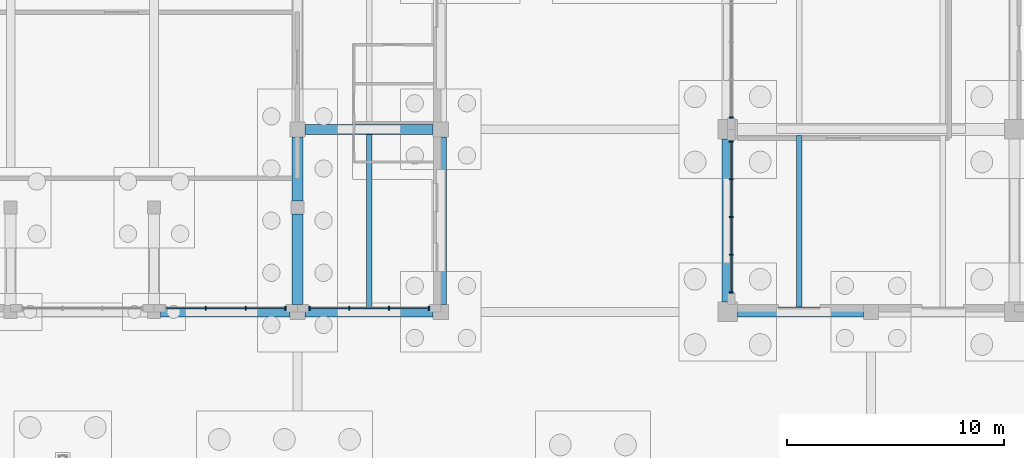
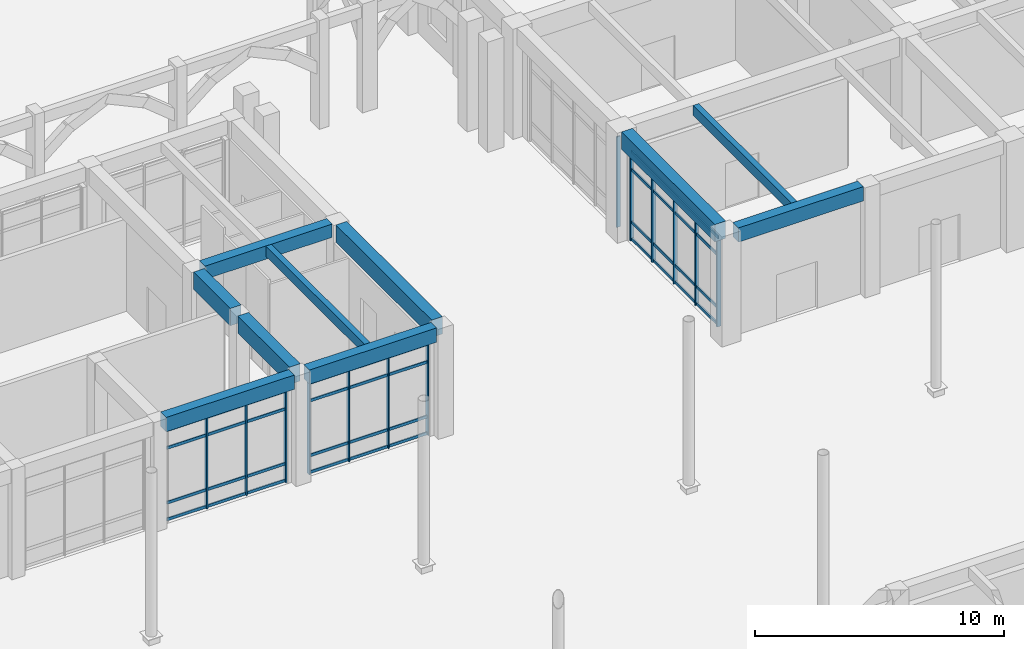
# One storey, part 31 of 82: 25 members, 10 beams, 4 elements without a shape of their own.
"""IFC4 building model written with IfcOpenShell, lengths in metres."""

from ifc_helpers import new_model, si_unit, direction, frame, origin, origin_2d, place, context, subcontext, project, spatial, rectangle, extrude, material, layer, layer_set, material_profile, profile_set, type_object, element, aggregate, save


model = new_model("IFC4")

# Units and contexts
model_context = context("Model", 3, precision=1e-05, world=origin(), true_north=direction((0.0, 1.0)))
body_context = subcontext(model_context, "Body", "Model", "MODEL_VIEW")
ifc_project = project(units=[si_unit("LENGTHUNIT", "METRE"), si_unit("AREAUNIT", "SQUARE_METRE"), si_unit("VOLUMEUNIT", "CUBIC_METRE"), si_unit("PLANEANGLEUNIT", "RADIAN"), si_unit("MASSUNIT", "GRAM", prefix="KILO")], contexts=[model_context])

# Site, building, storey
site_placement = place(None, origin())
site = spatial("IfcSite", under=ifc_project, at=site_placement, CompositionType="ELEMENT")
building_placement = place(site_placement, origin())
building = spatial("IfcBuilding", under=site, at=building_placement, Name="Kolvaren Faculty of Natural Sciences", CompositionType="ELEMENT")
storey_placement = place(building_placement, origin())
storey = spatial("IfcBuildingStorey", under=building, at=storey_placement, Name="L00", CompositionType="ELEMENT", Elevation=0.0)

# Curtain wall, members
ifc_material_1 = material(Name="Thermally broken anodised aluminium framing", Category="aluminium")
ifc_layer_1 = layer(ifc_material_1, 0.179931640625)
ifc_layer_set_1 = layer_set([ifc_layer_1], Name="Thermally broken anodised aluminium framing")
curtain_wall_type_1 = type_object("IfcCurtainWallType", Name="AtriumCurtainWall_CW01", PredefinedType="NOTDEFINED", material=ifc_layer_set_1)
curtain_wall_1_placement = place(storey_placement, origin())
curtain_wall_1 = element("IfcCurtainWall", 1, at=curtain_wall_1_placement, inside=storey, type_object=curtain_wall_type_1, Name="L00 unitised curtain wall CW-01 (CW-L00-001)", PredefinedType="NOTDEFINED")
ifc_material_profile_1 = material_profile(ifc_material_1, rectangle(XDim=0.06005859375, YDim=0.179931640625, at=origin_2d()), Name="ALU MUL 60x180")
ifc_profile_set_1 = profile_set([ifc_material_profile_1], Name="Thermally broken anodised aluminium framing")
member_type_1 = type_object("IfcMemberType", Name="CurtainMullion_60x180", PredefinedType="MULLION", material=ifc_profile_set_1)
member_1_placement = place(storey_placement, frame((105.25, 67.570068359375, 0.0), z_axis=(0.0, 0.0, 1.0), x_axis=(-1.0, 0.0, 0.0)))
member_1 = element("IfcMember", 2, at=member_1_placement, type_object=member_type_1, Name="CW-L00-001 vertical mullion 1", PredefinedType="MULLION", context=body_context, shape_type="SweptSolid", body=[
    extrude(rectangle(XDim=0.06005859375, YDim=0.179931640625, at=origin_2d()), origin(), (0.0, 0.0, 1.0), 4.534912109375),
])
member_2_placement = place(storey_placement, frame((103.416748046875, 67.570068359375, 0.0), z_axis=(0.0, 0.0, 1.0), x_axis=(-1.0, 0.0, 0.0)))
member_2 = element("IfcMember", 3, at=member_2_placement, type_object=member_type_1, Name="CW-L00-001 vertical mullion 2", PredefinedType="MULLION", context=body_context, shape_type="SweptSolid", body=[
    extrude(rectangle(XDim=0.06005859375, YDim=0.179931640625, at=origin_2d()), origin(), (0.0, 0.0, 1.0), 4.534912109375),
])
member_3_placement = place(storey_placement, frame((101.583251953125, 67.570068359375, 0.0), z_axis=(0.0, 0.0, 1.0), x_axis=(-1.0, 0.0, 0.0)))
member_3 = element("IfcMember", 4, at=member_3_placement, type_object=member_type_1, Name="CW-L00-001 vertical mullion 3", PredefinedType="MULLION", context=body_context, shape_type="SweptSolid", body=[
    extrude(rectangle(XDim=0.06005859375, YDim=0.179931640625, at=origin_2d()), origin(), (0.0, 0.0, 1.0), 4.534912109375),
])
member_4_placement = place(storey_placement, frame((99.75, 67.570068359375, 0.0), z_axis=(0.0, 0.0, 1.0), x_axis=(-1.0, 0.0, 0.0)))
member_4 = element("IfcMember", 5, at=member_4_placement, type_object=member_type_1, Name="CW-L00-001 vertical mullion 4", PredefinedType="MULLION", context=body_context, shape_type="SweptSolid", body=[
    extrude(rectangle(XDim=0.06005859375, YDim=0.179931640625, at=origin_2d()), origin(), (0.0, 0.0, 1.0), 4.534912109375),
])

curtain_wall_2_placement = place(storey_placement, origin())
curtain_wall_2 = element("IfcCurtainWall", 6, at=curtain_wall_2_placement, inside=storey, type_object=curtain_wall_type_1, Name="L00 unitised curtain wall CW-01 (CW-L00-002)", PredefinedType="NOTDEFINED")
member_5_placement = place(storey_placement, frame((98.64990234375, 67.570068359375, 0.0), z_axis=(0.0, 0.0, 1.0), x_axis=(-1.0, 0.0, 0.0)))
member_5 = element("IfcMember", 7, at=member_5_placement, type_object=member_type_1, Name="CW-L00-002 vertical mullion 1", PredefinedType="MULLION", context=body_context, shape_type="SweptSolid", body=[
    extrude(rectangle(XDim=0.06005859375, YDim=0.179931640625, at=origin_2d()), origin(), (0.0, 0.0, 1.0), 4.534912109375),
])
member_6_placement = place(storey_placement, frame((96.816650390625, 67.570068359375, 0.0), z_axis=(0.0, 0.0, 1.0), x_axis=(-1.0, 0.0, 0.0)))
member_6 = element("IfcMember", 8, at=member_6_placement, type_object=member_type_1, Name="CW-L00-002 vertical mullion 2", PredefinedType="MULLION", context=body_context, shape_type="SweptSolid", body=[
    extrude(rectangle(XDim=0.06005859375, YDim=0.179931640625, at=origin_2d()), origin(), (0.0, 0.0, 1.0), 4.534912109375),
])
member_7_placement = place(storey_placement, frame((94.9833984375, 67.570068359375, 0.0), z_axis=(0.0, 0.0, 1.0), x_axis=(-1.0, 0.0, 0.0)))
member_7 = element("IfcMember", 9, at=member_7_placement, type_object=member_type_1, Name="CW-L00-002 vertical mullion 3", PredefinedType="MULLION", context=body_context, shape_type="SweptSolid", body=[
    extrude(rectangle(XDim=0.06005859375, YDim=0.179931640625, at=origin_2d()), origin(), (0.0, 0.0, 1.0), 4.534912109375),
])

ifc_layer_2 = layer(ifc_material_1, 0.179931640625)
ifc_layer_set_2 = layer_set([ifc_layer_2], Name="Thermally broken anodised aluminium framing")
curtain_wall_type_2 = type_object("IfcCurtainWallType", Name="CommonsCurtainWall_CW02", PredefinedType="NOTDEFINED", material=ifc_layer_set_2)
curtain_wall_3_placement = place(storey_placement, origin())
curtain_wall_3 = element("IfcCurtainWall", 10, at=curtain_wall_3_placement, inside=storey, type_object=curtain_wall_type_2, Name="L00 unitised curtain wall CW-02 (CW-L00-014)", PredefinedType="NOTDEFINED")
member_8_placement = place(storey_placement, frame((119.169921875, 68.2900390625, 0.0), z_axis=(0.0, 0.0, 1.0), x_axis=(0.0, 1.0, 0.0)))
member_8 = element("IfcMember", 11, at=member_8_placement, type_object=member_type_1, Name="CW-L00-014 vertical mullion 1", PredefinedType="MULLION", context=body_context, shape_type="SweptSolid", body=[
    extrude(rectangle(XDim=0.06005859375, YDim=0.179931640625, at=origin_2d()), origin(), (0.0, 0.0, 1.0), 4.43505859375),
])
member_9_placement = place(storey_placement, frame((119.169921875, 70.030029296875, 0.0), z_axis=(0.0, 0.0, 1.0), x_axis=(0.0, 1.0, 0.0)))
member_9 = element("IfcMember", 12, at=member_9_placement, type_object=member_type_1, Name="CW-L00-014 vertical mullion 2", PredefinedType="MULLION", context=body_context, shape_type="SweptSolid", body=[
    extrude(rectangle(XDim=0.06005859375, YDim=0.179931640625, at=origin_2d()), origin(), (0.0, 0.0, 1.0), 4.43505859375),
])
member_10_placement = place(storey_placement, frame((119.169921875, 71.77001953125, 0.0), z_axis=(0.0, 0.0, 1.0), x_axis=(0.0, 1.0, 0.0)))
member_10 = element("IfcMember", 13, at=member_10_placement, type_object=member_type_1, Name="CW-L00-014 vertical mullion 3", PredefinedType="MULLION", context=body_context, shape_type="SweptSolid", body=[
    extrude(rectangle(XDim=0.06005859375, YDim=0.179931640625, at=origin_2d()), origin(), (0.0, 0.0, 1.0), 4.43505859375),
])
member_11_placement = place(storey_placement, frame((119.169921875, 73.510009765625, 0.0), z_axis=(0.0, 0.0, 1.0), x_axis=(0.0, 1.0, 0.0)))
member_11 = element("IfcMember", 14, at=member_11_placement, type_object=member_type_1, Name="CW-L00-014 vertical mullion 4", PredefinedType="MULLION", context=body_context, shape_type="SweptSolid", body=[
    extrude(rectangle(XDim=0.06005859375, YDim=0.179931640625, at=origin_2d()), origin(), (0.0, 0.0, 1.0), 4.43505859375),
])
member_12_placement = place(storey_placement, frame((119.169921875, 75.25, 0.0), z_axis=(0.0, 0.0, 1.0), x_axis=(0.0, 1.0, 0.0)))
member_12 = element("IfcMember", 15, at=member_12_placement, type_object=member_type_1, Name="CW-L00-014 vertical mullion 5", PredefinedType="MULLION", context=body_context, shape_type="SweptSolid", body=[
    extrude(rectangle(XDim=0.06005859375, YDim=0.179931640625, at=origin_2d()), origin(), (0.0, 0.0, 1.0), 4.43505859375),
])

# Curtain wall, member
curtain_wall_4_placement = place(storey_placement, origin())
curtain_wall_4 = element("IfcCurtainWall", 16, at=curtain_wall_4_placement, inside=storey, type_object=curtain_wall_type_2, Name="L00 unitised curtain wall CW-02 (CW-L00-015)", PredefinedType="NOTDEFINED")
member_13_placement = place(storey_placement, frame((119.169921875, 76.35009765625, 0.0), z_axis=(0.0, 0.0, 1.0), x_axis=(0.0, 1.0, 0.0)))
member_13 = element("IfcMember", 17, at=member_13_placement, type_object=member_type_1, Name="CW-L00-015 vertical mullion 1", PredefinedType="MULLION", context=body_context, shape_type="SweptSolid", body=[
    extrude(rectangle(XDim=0.06005859375, YDim=0.179931640625, at=origin_2d()), origin(), (0.0, 0.0, 1.0), 4.43505859375),
])
aggregate(curtain_wall_4, [member_13])

# Member
ifc_material_profile_2 = material_profile(ifc_material_1, rectangle(XDim=0.06005859375, YDim=0.139892578125, at=origin_2d()), Name="ALU TRN 60x140")
ifc_profile_set_2 = profile_set([ifc_material_profile_2], Name="Thermally broken anodised aluminium framing")
member_type_2 = type_object("IfcMemberType", Name="CurtainTransom_60x140", PredefinedType="USERDEFINED", material=ifc_profile_set_2)
member_14_placement = place(storey_placement, frame((105.25, 67.570068359375, 0.080078125), z_axis=(-1.0, 0.0, 0.0), x_axis=(0.0, -1.0, 0.0)))
member_14 = element("IfcMember", 18, at=member_14_placement, type_object=member_type_2, Name="CW-L00-001 horizontal transom 1", ObjectType="TRANSOM", PredefinedType="USERDEFINED", context=body_context, shape_type="SweptSolid", body=[
    extrude(rectangle(XDim=0.06005859375, YDim=0.139892578125, at=origin_2d()), origin(), (0.0, 0.0, 1.0), 5.5),
])

member_15_placement = place(storey_placement, frame((105.25, 67.570068359375, 0.89990234375), z_axis=(-1.0, 0.0, 0.0), x_axis=(0.0, -1.0, 0.0)))
member_15 = element("IfcMember", 19, at=member_15_placement, type_object=member_type_2, Name="CW-L00-001 horizontal transom 2", ObjectType="TRANSOM", PredefinedType="USERDEFINED", context=body_context, shape_type="SweptSolid", body=[
    extrude(rectangle(XDim=0.06005859375, YDim=0.139892578125, at=origin_2d()), origin(), (0.0, 0.0, 1.0), 5.5),
])

member_16_placement = place(storey_placement, frame((105.25, 67.570068359375, 3.5849609375), z_axis=(-1.0, 0.0, 0.0), x_axis=(0.0, -1.0, 0.0)))
member_16 = element("IfcMember", 20, at=member_16_placement, type_object=member_type_2, Name="CW-L00-001 horizontal transom 3", ObjectType="TRANSOM", PredefinedType="USERDEFINED", context=body_context, shape_type="SweptSolid", body=[
    extrude(rectangle(XDim=0.06005859375, YDim=0.139892578125, at=origin_2d()), origin(), (0.0, 0.0, 1.0), 5.5),
])

member_17_placement = place(storey_placement, frame((105.25, 67.570068359375, 4.455078125), z_axis=(-1.0, 0.0, 0.0), x_axis=(0.0, -1.0, 0.0)))
member_17 = element("IfcMember", 21, at=member_17_placement, type_object=member_type_2, Name="CW-L00-001 horizontal transom 4", ObjectType="TRANSOM", PredefinedType="USERDEFINED", context=body_context, shape_type="SweptSolid", body=[
    extrude(rectangle(XDim=0.06005859375, YDim=0.139892578125, at=origin_2d()), origin(), (0.0, 0.0, 1.0), 5.5),
])

aggregate(curtain_wall_1, [member_1, member_2, member_3, member_4, member_14, member_15, member_16, member_17])

member_18_placement = place(storey_placement, frame((98.64990234375, 67.570068359375, 0.080078125), z_axis=(-1.0, 0.0, 0.0), x_axis=(0.0, -1.0, 0.0)))
member_18 = element("IfcMember", 22, at=member_18_placement, type_object=member_type_2, Name="CW-L00-002 horizontal transom 1", ObjectType="TRANSOM", PredefinedType="USERDEFINED", context=body_context, shape_type="SweptSolid", body=[
    extrude(rectangle(XDim=0.06005859375, YDim=0.139892578125, at=origin_2d()), origin(), (0.0, 0.0, 1.0), 5.5),
])

member_19_placement = place(storey_placement, frame((98.64990234375, 67.570068359375, 0.89990234375), z_axis=(-1.0, 0.0, 0.0), x_axis=(0.0, -1.0, 0.0)))
member_19 = element("IfcMember", 23, at=member_19_placement, type_object=member_type_2, Name="CW-L00-002 horizontal transom 2", ObjectType="TRANSOM", PredefinedType="USERDEFINED", context=body_context, shape_type="SweptSolid", body=[
    extrude(rectangle(XDim=0.06005859375, YDim=0.139892578125, at=origin_2d()), origin(), (0.0, 0.0, 1.0), 5.5),
])

member_20_placement = place(storey_placement, frame((98.64990234375, 67.570068359375, 3.5849609375), z_axis=(-1.0, 0.0, 0.0), x_axis=(0.0, -1.0, 0.0)))
member_20 = element("IfcMember", 24, at=member_20_placement, type_object=member_type_2, Name="CW-L00-002 horizontal transom 3", ObjectType="TRANSOM", PredefinedType="USERDEFINED", context=body_context, shape_type="SweptSolid", body=[
    extrude(rectangle(XDim=0.06005859375, YDim=0.139892578125, at=origin_2d()), origin(), (0.0, 0.0, 1.0), 5.5),
])

member_21_placement = place(storey_placement, frame((98.64990234375, 67.570068359375, 4.455078125), z_axis=(-1.0, 0.0, 0.0), x_axis=(0.0, -1.0, 0.0)))
member_21 = element("IfcMember", 25, at=member_21_placement, type_object=member_type_2, Name="CW-L00-002 horizontal transom 4", ObjectType="TRANSOM", PredefinedType="USERDEFINED", context=body_context, shape_type="SweptSolid", body=[
    extrude(rectangle(XDim=0.06005859375, YDim=0.139892578125, at=origin_2d()), origin(), (0.0, 0.0, 1.0), 5.5),
])

aggregate(curtain_wall_2, [member_5, member_6, member_7, member_18, member_19, member_20, member_21])

member_22_placement = place(storey_placement, frame((119.169921875, 68.2900390625, 0.080078125), z_axis=(0.0, 1.0, 0.0), x_axis=(-1.0, 0.0, 0.0)))
member_22 = element("IfcMember", 26, at=member_22_placement, type_object=member_type_2, Name="CW-L00-014 horizontal transom 1", ObjectType="TRANSOM", PredefinedType="USERDEFINED", context=body_context, shape_type="SweptSolid", body=[
    extrude(rectangle(XDim=0.06005859375, YDim=0.139892578125, at=origin_2d()), origin(), (0.0, 0.0, 1.0), 6.9599609375),
])

member_23_placement = place(storey_placement, frame((119.169921875, 68.2900390625, 0.89990234375), z_axis=(0.0, 1.0, 0.0), x_axis=(-1.0, 0.0, 0.0)))
member_23 = element("IfcMember", 27, at=member_23_placement, type_object=member_type_2, Name="CW-L00-014 horizontal transom 2", ObjectType="TRANSOM", PredefinedType="USERDEFINED", context=body_context, shape_type="SweptSolid", body=[
    extrude(rectangle(XDim=0.06005859375, YDim=0.139892578125, at=origin_2d()), origin(), (0.0, 0.0, 1.0), 6.9599609375),
])

member_24_placement = place(storey_placement, frame((119.169921875, 68.2900390625, 3.485107421875), z_axis=(0.0, 1.0, 0.0), x_axis=(-1.0, 0.0, 0.0)))
member_24 = element("IfcMember", 28, at=member_24_placement, type_object=member_type_2, Name="CW-L00-014 horizontal transom 3", ObjectType="TRANSOM", PredefinedType="USERDEFINED", context=body_context, shape_type="SweptSolid", body=[
    extrude(rectangle(XDim=0.06005859375, YDim=0.139892578125, at=origin_2d()), origin(), (0.0, 0.0, 1.0), 6.9599609375),
])

member_25_placement = place(storey_placement, frame((119.169921875, 68.2900390625, 4.35498046875), z_axis=(0.0, 1.0, 0.0), x_axis=(-1.0, 0.0, 0.0)))
member_25 = element("IfcMember", 29, at=member_25_placement, type_object=member_type_2, Name="CW-L00-014 horizontal transom 4", ObjectType="TRANSOM", PredefinedType="USERDEFINED", context=body_context, shape_type="SweptSolid", body=[
    extrude(rectangle(XDim=0.06005859375, YDim=0.139892578125, at=origin_2d()), origin(), (0.0, 0.0, 1.0), 6.9599609375),
])

aggregate(curtain_wall_3, [member_8, member_9, member_10, member_11, member_12, member_22, member_23, member_24, member_25])

# Beams
ifc_material_2 = material(Name="Concrete C35/45", Category="concrete")
ifc_material_profile_3 = material_profile(ifc_material_2, rectangle(XDim=0.449951171875, YDim=0.64990234375, at=origin_2d()), Name="RC BM 450x650")
ifc_profile_set_3 = profile_set([ifc_material_profile_3], Name="Concrete C35/45")
beam_type_1 = type_object("IfcBeamType", Name="GridBeam_450x650", PredefinedType="BEAM", material=ifc_profile_set_3)
beam_1_placement = place(storey_placement, frame((99.550048828125, 75.800048828125, 5.074951171875), z_axis=(1.0, 0.0, 0.0), x_axis=(0.0, 1.0, 0.0)))
element("IfcBeam", 30, at=beam_1_placement, inside=storey, type_object=beam_type_1, Name="L00 beam BM-65 on grid K", PredefinedType="BEAM", context=body_context, shape_type="SweptSolid", body=[
    extrude(rectangle(XDim=0.449951171875, YDim=0.64990234375, at=origin_2d()), origin(), (0.0, 0.0, 1.0), 5.89990234375),
])
ifc_material_profile_4 = material_profile(ifc_material_2, rectangle(XDim=0.260009765625, YDim=0.5, at=origin_2d()), Name="RC JST 260x500")
ifc_profile_set_4 = profile_set([ifc_material_profile_4], Name="Concrete C35/45")
beam_type_2 = type_object("IfcBeamType", Name="LabRibJoist_260x500", PredefinedType="JOIST", material=ifc_profile_set_4)
beam_2_placement = place(storey_placement, frame((102.5, 67.625, 5.14990234375), z_axis=(0.0, 1.0, 0.0), x_axis=(-1.0, 0.0, 0.0)))
element("IfcBeam", 31, at=beam_2_placement, inside=storey, type_object=beam_type_2, Name="L00 ribbed laboratory slab joist JS-50", PredefinedType="JOIST", context=body_context, shape_type="SweptSolid", body=[
    extrude(rectangle(XDim=0.260009765625, YDim=0.5, at=origin_2d()), origin(), (0.0, 0.0, 1.0), 7.949951171875),
])
beam_3_placement = place(storey_placement, frame((122.300048828125, 67.625, 5.14990234375), z_axis=(0.0, 1.0, 0.0), x_axis=(-1.0, 0.0, 0.0)))
element("IfcBeam", 32, at=beam_3_placement, inside=storey, type_object=beam_type_2, Name="L00 ribbed laboratory slab joist JS-50", PredefinedType="JOIST", context=body_context, shape_type="SweptSolid", body=[
    extrude(rectangle(XDim=0.260009765625, YDim=0.5, at=origin_2d()), origin(), (0.0, 0.0, 1.0), 7.89990234375),
])
ifc_material_profile_5 = material_profile(ifc_material_2, rectangle(XDim=0.449951171875, YDim=0.699951171875, at=origin_2d()), Name="RC SP 450x700")
ifc_profile_set_5 = profile_set([ifc_material_profile_5], Name="Concrete C35/45")
beam_type_3 = type_object("IfcBeamType", Name="PerimeterSpandrel_450x700", PredefinedType="SPANDREL", material=ifc_profile_set_5)
beam_4_placement = place(storey_placement, frame((92.89990234375, 67.39990234375, 5.050048828125), z_axis=(1.0, 0.0, 0.0), x_axis=(0.0, 1.0, 0.0)))
element("IfcBeam", 33, at=beam_4_placement, inside=storey, type_object=beam_type_3, Name="L00 spandrel SP-70 on grid J", PredefinedType="SPANDREL", context=body_context, shape_type="SweptSolid", body=[
    extrude(rectangle(XDim=0.449951171875, YDim=0.699951171875, at=origin_2d()), origin(), (0.0, 0.0, 1.0), 5.9501953125),
])
beam_5_placement = place(storey_placement, frame((99.550048828125, 67.39990234375, 5.050048828125), z_axis=(1.0, 0.0, 0.0), x_axis=(0.0, 1.0, 0.0)))
element("IfcBeam", 34, at=beam_5_placement, inside=storey, type_object=beam_type_3, Name="L00 spandrel SP-70 on grid J", PredefinedType="SPANDREL", context=body_context, shape_type="SweptSolid", body=[
    extrude(rectangle(XDim=0.449951171875, YDim=0.699951171875, at=origin_2d()), origin(), (0.0, 0.0, 1.0), 5.89990234375),
])
beam_6_placement = place(storey_placement, frame((119.449951171875, 67.39990234375, 5.050048828125), z_axis=(1.0, 0.0, 0.0), x_axis=(0.0, 1.0, 0.0)))
element("IfcBeam", 35, at=beam_6_placement, inside=storey, type_object=beam_type_3, Name="L00 spandrel SP-70 on grid J", PredefinedType="SPANDREL", context=body_context, shape_type="SweptSolid", body=[
    extrude(rectangle(XDim=0.449951171875, YDim=0.699951171875, at=origin_2d()), origin(), (0.0, 0.0, 1.0), 5.800048828125),
])
ifc_material_profile_6 = material_profile(ifc_material_2, rectangle(XDim=0.5, YDim=0.85009765625, at=origin_2d()), Name="RC BM 500x850")
ifc_profile_set_6 = profile_set([ifc_material_profile_6], Name="Concrete C35/45")
beam_type_4 = type_object("IfcBeamType", Name="PrimaryGirder_500x850", PredefinedType="BEAM", material=ifc_profile_set_6)
beam_7_placement = place(storey_placement, frame((99.199951171875, 67.75, 4.97509765625), z_axis=(0.0, 1.0, 0.0), x_axis=(-1.0, 0.0, 0.0)))
element("IfcBeam", 36, at=beam_7_placement, inside=storey, type_object=beam_type_4, Name="L00 girder BG-85 on grid 16", PredefinedType="BEAM", context=body_context, shape_type="SweptSolid", body=[
    extrude(rectangle(XDim=0.5, YDim=0.85009765625, at=origin_2d()), origin(), (0.0, 0.0, 1.0), 4.14990234375),
])
beam_8_placement = place(storey_placement, frame((99.199951171875, 72.5, 4.97509765625), z_axis=(0.0, 1.0, 0.0), x_axis=(-1.0, 0.0, 0.0)))
element("IfcBeam", 37, at=beam_8_placement, inside=storey, type_object=beam_type_4, Name="L00 girder BG-85 on grid 16", PredefinedType="BEAM", context=body_context, shape_type="SweptSolid", body=[
    extrude(rectangle(XDim=0.5, YDim=0.85009765625, at=origin_2d()), origin(), (0.0, 0.0, 1.0), 2.949951171875),
])
beam_9_placement = place(storey_placement, frame((105.800048828125, 67.75, 4.97509765625), z_axis=(0.0, 1.0, 0.0), x_axis=(-1.0, 0.0, 0.0)))
element("IfcBeam", 38, at=beam_9_placement, inside=storey, type_object=beam_type_4, Name="L00 girder BG-85 on grid 17", PredefinedType="BEAM", context=body_context, shape_type="SweptSolid", body=[
    extrude(rectangle(XDim=0.5, YDim=0.85009765625, at=origin_2d()), origin(), (0.0, 0.0, 1.0), 7.699951171875),
])
beam_10_placement = place(storey_placement, frame((119.0, 67.85009765625, 4.97509765625), z_axis=(0.0, 1.0, 0.0), x_axis=(-1.0, 0.0, 0.0)))
element("IfcBeam", 39, at=beam_10_placement, inside=storey, type_object=beam_type_4, Name="L00 girder BG-85 on grid 19", PredefinedType="BEAM", context=body_context, shape_type="SweptSolid", body=[
    extrude(rectangle(XDim=0.5, YDim=0.85009765625, at=origin_2d()), origin(), (0.0, 0.0, 1.0), 7.5),
])

save(model, "model.ifc")
